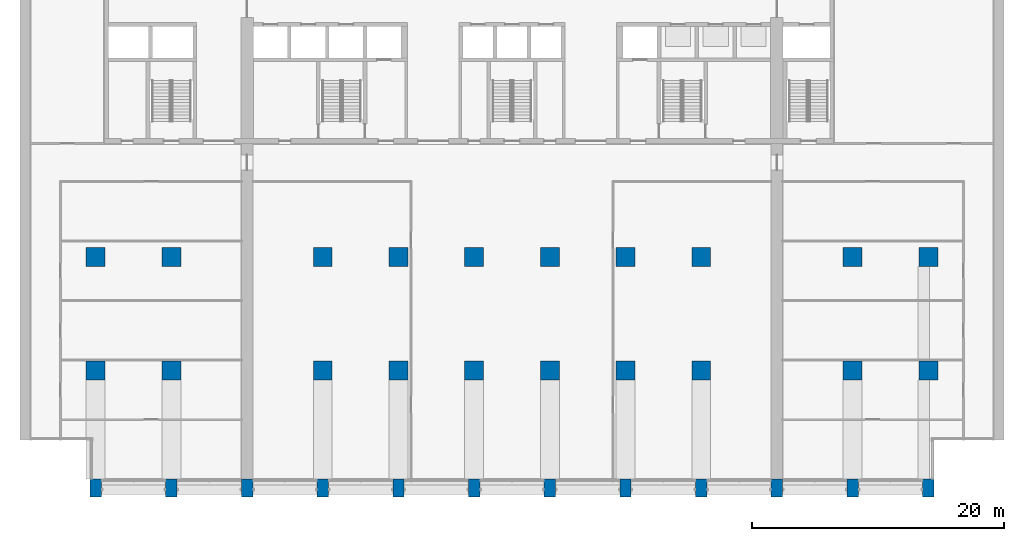
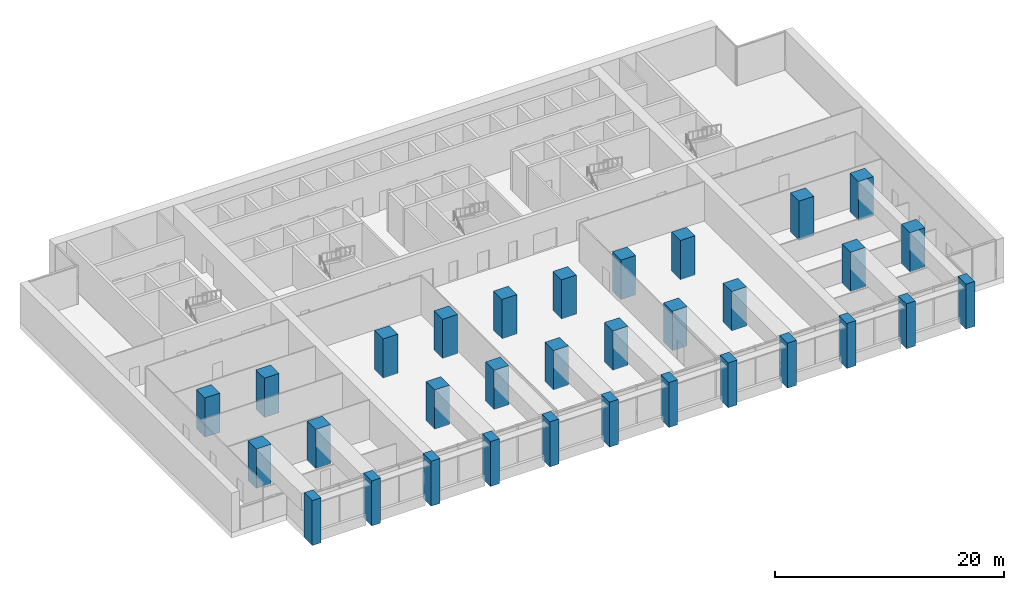
# One storey, part 1 of 18: 32 columns.
"""IFC4 building model written with IfcOpenShell, lengths in metres."""

from ifc_helpers import new_model, si_unit, direction, frame, origin, origin_2d, place, context, subcontext, project, spatial, rectangle, extrude, material, material_profile, profile_set, type_object, element, save


model = new_model("IFC4")

# Units and contexts
model_context = context("Model", 3, precision=1e-05, world=origin(), true_north=direction((0.0, 1.0)))
body_context = subcontext(model_context, "Body", "Model", "MODEL_VIEW")
ifc_project = project(units=[si_unit("LENGTHUNIT", "METRE"), si_unit("AREAUNIT", "SQUARE_METRE"), si_unit("VOLUMEUNIT", "CUBIC_METRE"), si_unit("PLANEANGLEUNIT", "RADIAN"), si_unit("MASSUNIT", "GRAM", prefix="KILO")], contexts=[model_context])

# Site, building, storey
site_placement = place(None, origin())
site = spatial("IfcSite", under=ifc_project, at=site_placement, CompositionType="ELEMENT")
building_placement = place(site_placement, origin())
building = spatial("IfcBuilding", under=site, at=building_placement, Name="Calvaro Tower", CompositionType="ELEMENT")
storey_placement = place(building_placement, frame((0.0, 0.0, 90.0)))
storey = spatial("IfcBuildingStorey", under=building, at=storey_placement, Name="L22", CompositionType="ELEMENT", Elevation=90.0)

# Columns
ifc_material_1 = material(Name="Concrete C80/95", Category="concrete")
ifc_material_profile_1 = material_profile(ifc_material_1, rectangle(XDim=1.5, YDim=1.5, at=origin_2d()), Name="RC 1500x1500")
ifc_profile_set_1 = profile_set([ifc_material_profile_1], Name="Concrete C80/95")
column_type_1 = type_object("IfcColumnType", Name="Column 1500x1500 C80/95", PredefinedType="COLUMN", material=ifc_profile_set_1)
for number, where, z_axis, x_axis, name in (
    (1, (6.0, 10.0, 0.0), (0.0, 0.0, 1.0), (1.0, 0.0, 0.0), "Column 2B"),
    (2, (6.0, 19.0, 0.0), (0.0, 0.0, 1.0), (1.0, 0.0, 0.0), "Column 2C"),
    (3, (12.0, 10.0, 0.0), (0.0, 0.0, 1.0), (1.0, 0.0, 0.0), "Column 3B"),
    (4, (12.0, 19.0, 0.0), (0.0, 0.0, 1.0), (1.0, 0.0, 0.0), "Column 3C"),
    (5, (24.0, 10.0, 0.0), (0.0, 0.0, 1.0), (1.0, 0.0, 0.0), "Column 5B"),
    (6, (24.0, 19.0, 0.0), (0.0, 0.0, 1.0), (1.0, 0.0, 0.0), "Column 5C"),
    (7, (30.0, 10.0, 0.0), (0.0, 0.0, 1.0), (1.0, 0.0, 0.0), "Column 6B"),
    (8, (30.0, 19.0, 0.0), (0.0, 0.0, 1.0), (1.0, 0.0, 0.0), "Column 6C"),
    (9, (36.0, 10.0, 0.0), (0.0, 0.0, 1.0), (1.0, 0.0, 0.0), "Column 7B"),
    (10, (36.0, 19.0, 0.0), (0.0, 0.0, 1.0), (1.0, 0.0, 0.0), "Column 7C"),
    (11, (42.0, 10.0, 0.0), (0.0, 0.0, 1.0), (1.0, 0.0, 0.0), "Column 8B"),
    (12, (42.0, 19.0, 0.0), (0.0, 0.0, 1.0), (1.0, 0.0, 0.0), "Column 8C"),
    (13, (48.0, 10.0, 0.0), (0.0, 0.0, 1.0), (1.0, 0.0, 0.0), "Column 9B"),
    (14, (48.0, 19.0, 0.0), (0.0, 0.0, 1.0), (1.0, 0.0, 0.0), "Column 9C"),
    (15, (54.0, 10.0, 0.0), (0.0, 0.0, 1.0), (1.0, 0.0, 0.0), "Column 10B"),
    (16, (54.0, 19.0, 0.0), (0.0, 0.0, 1.0), (1.0, 0.0, 0.0), "Column 10C"),
    (17, (66.0, 10.0, 0.0), (0.0, 0.0, 1.0), (1.0, 0.0, 0.0), "Column 12B"),
    (18, (66.0, 19.0, 0.0), (0.0, 0.0, 1.0), (1.0, 0.0, 0.0), "Column 12C"),
    (19, (72.0, 10.0, 0.0), (0.0, 0.0, 1.0), (1.0, 0.0, 0.0), "Column 13B"),
    (20, (72.0, 19.0, 0.0), (0.0, 0.0, 1.0), (1.0, 0.0, 0.0), "Column 13C"),
):
    element("IfcColumn", number, at=place(storey_placement, frame(where, z_axis=z_axis, x_axis=x_axis)), inside=storey, type_object=column_type_1, Name=name, PredefinedType="COLUMN", context=body_context, shape_type="SweptSolid", body=[
        extrude(rectangle(XDim=1.5, YDim=1.5, at=origin_2d()), origin(), (0.0, 0.0, 1.0), 4.199951171875),
    ])
ifc_material_2 = material(Name="Concrete C80/95", Category="concrete")
ifc_material_profile_2 = material_profile(ifc_material_2, rectangle(XDim=0.89990234375, YDim=1.39990234375, at=origin_2d()), Name="RC 900x1400")
ifc_profile_set_2 = profile_set([ifc_material_profile_2], Name="Concrete C80/95")
column_type_2 = type_object("IfcColumnType", Name="Pier 900x1400 C80/95", PredefinedType="COLUMN", material=ifc_profile_set_2)
for number, where, z_axis, x_axis, name in (
    (21, (6.0, 0.699951171875, -0.60009765625), (0.0, 0.0, 1.0), (1.0, 0.0, 0.0), "South pier 2"),
    (22, (12.0, 0.699951171875, -0.60009765625), (0.0, 0.0, 1.0), (1.0, 0.0, 0.0), "South pier 3"),
    (23, (18.0, 0.699951171875, -0.60009765625), (0.0, 0.0, 1.0), (1.0, 0.0, 0.0), "South pier 4"),
    (24, (24.0, 0.699951171875, -0.60009765625), (0.0, 0.0, 1.0), (1.0, 0.0, 0.0), "South pier 5"),
    (25, (30.0, 0.699951171875, -0.60009765625), (0.0, 0.0, 1.0), (1.0, 0.0, 0.0), "South pier 6"),
    (26, (36.0, 0.699951171875, -0.60009765625), (0.0, 0.0, 1.0), (1.0, 0.0, 0.0), "South pier 7"),
    (27, (42.0, 0.699951171875, -0.60009765625), (0.0, 0.0, 1.0), (1.0, 0.0, 0.0), "South pier 8"),
    (28, (48.0, 0.699951171875, -0.60009765625), (0.0, 0.0, 1.0), (1.0, 0.0, 0.0), "South pier 9"),
    (29, (54.0, 0.699951171875, -0.60009765625), (0.0, 0.0, 1.0), (1.0, 0.0, 0.0), "South pier 10"),
    (30, (60.0, 0.699951171875, -0.60009765625), (0.0, 0.0, 1.0), (1.0, 0.0, 0.0), "South pier 11"),
    (31, (66.0, 0.699951171875, -0.60009765625), (0.0, 0.0, 1.0), (1.0, 0.0, 0.0), "South pier 12"),
    (32, (72.0, 0.699951171875, -0.60009765625), (0.0, 0.0, 1.0), (1.0, 0.0, 0.0), "South pier 13"),
):
    element("IfcColumn", number, at=place(storey_placement, frame(where, z_axis=z_axis, x_axis=x_axis)), inside=storey, type_object=column_type_2, Name=name, PredefinedType="COLUMN", context=body_context, shape_type="SweptSolid", body=[
        extrude(rectangle(XDim=0.89990234375, YDim=1.39990234375, at=origin_2d()), origin(), (0.0, 0.0, 1.0), 4.800048828125),
    ])

save(model, "model.ifc")
